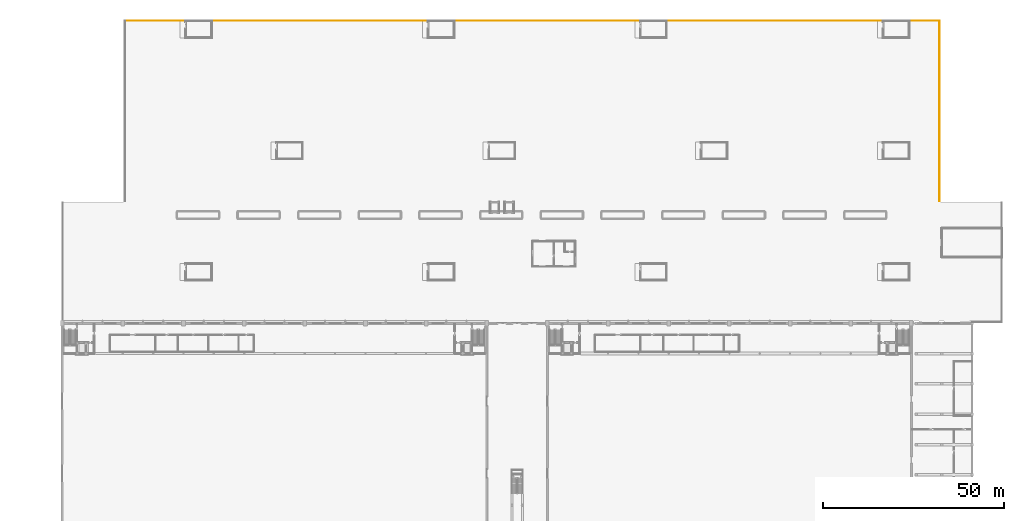
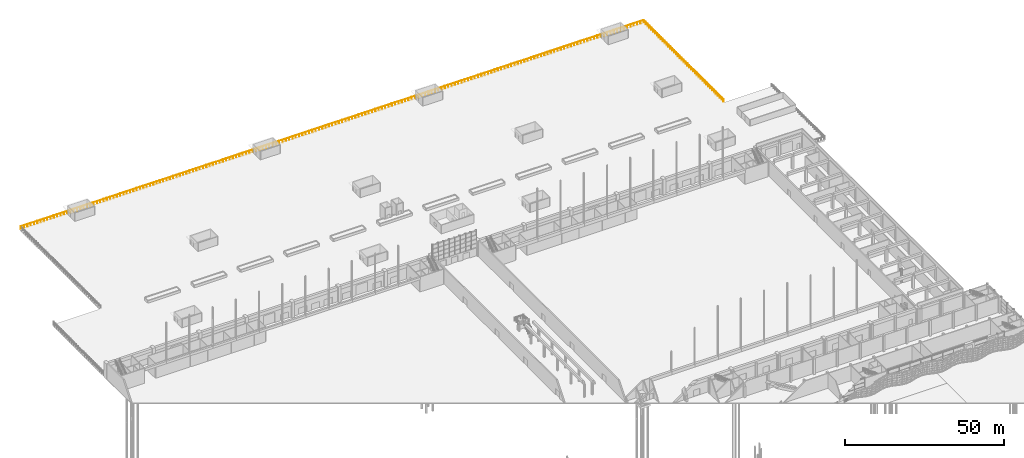
# One storey, part 209 of 210: 2 railings.
"""IFC4 building model written with IfcOpenShell, lengths in metres."""

from ifc_helpers import new_model, si_unit, direction, frame, origin, origin_2d, place, context, subcontext, project, spatial, circle, extrude, material, type_object, element, save


model = new_model("IFC4")

# Units and contexts
model_context = context("Model", 3, precision=1e-05, world=origin(), true_north=direction((0.0, 1.0)))
body_context = subcontext(model_context, "Body", "Model", "MODEL_VIEW")
ifc_project = project(units=[si_unit("LENGTHUNIT", "METRE"), si_unit("AREAUNIT", "SQUARE_METRE"), si_unit("VOLUMEUNIT", "CUBIC_METRE"), si_unit("PLANEANGLEUNIT", "RADIAN"), si_unit("MASSUNIT", "GRAM", prefix="KILO")], contexts=[model_context])

# Site, building, storey
site_placement = place(None, origin())
site = spatial("IfcSite", under=ifc_project, at=site_placement, CompositionType="ELEMENT")
building_placement = place(site_placement, origin())
building = spatial("IfcBuilding", under=site, at=building_placement, Name="Rain Tree Exposition and Congress Centre", CompositionType="ELEMENT")
storey_placement = place(building_placement, origin())
storey = spatial("IfcBuildingStorey", under=building, at=storey_placement, Name="L00", CompositionType="ELEMENT", Elevation=0.0)

# Railings
ifc_material = material(Name="Stainless steel", Category="steel")
railing_type = type_object("IfcRailingType", Name="Guard 1100 stainless", PredefinedType="GUARDRAIL", material=ifc_material)
railing_1_placement = place(storey_placement, frame((25.800048828125, 285.39990234375, 0.0)))
element("IfcRailing", 1, at=railing_1_placement, inside=storey, type_object=railing_type, Name="North deck edge guard yard-north", PredefinedType="GUARDRAIL", context=body_context, shape_type="SweptSolid", body=[
    extrude(circle(Radius=0.02490234375, at=origin_2d()), frame((0.0, 0.0, 1.0751953125), z_axis=(1.0, 0.0, 0.0), x_axis=(0.0, 1.0, 0.0)), (0.0, 0.0, 1.0), 225.599853515625),
    extrude(circle(Radius=0.02490234375, at=origin_2d()), origin(), (0.0, 0.0, 1.0), 1.050048828125),
    extrude(circle(Radius=0.02490234375, at=origin_2d()), frame((1.199951171875, 0.0, 0.0)), (0.0, 0.0, 1.0), 1.050048828125),
    extrude(circle(Radius=0.02490234375, at=origin_2d()), frame((2.39990234375, 0.0, 0.0)), (0.0, 0.0, 1.0), 1.050048828125),
    extrude(circle(Radius=0.02490234375, at=origin_2d()), frame((3.60009765625, 0.0, 0.0)), (0.0, 0.0, 1.0), 1.050048828125),
    extrude(circle(Radius=0.02490234375, at=origin_2d()), frame((4.800048828125, 0.0, 0.0)), (0.0, 0.0, 1.0), 1.050048828125),
    extrude(circle(Radius=0.02490234375, at=origin_2d()), frame((6.0, 0.0, 0.0)), (0.0, 0.0, 1.0), 1.050048828125),
    extrude(circle(Radius=0.02490234375, at=origin_2d()), frame((7.199951171875, 0.0, 0.0)), (0.0, 0.0, 1.0), 1.050048828125),
    extrude(circle(Radius=0.02490234375, at=origin_2d()), frame((8.39990234375, 0.0, 0.0)), (0.0, 0.0, 1.0), 1.050048828125),
    extrude(circle(Radius=0.02490234375, at=origin_2d()), frame((9.60009765625, 0.0, 0.0)), (0.0, 0.0, 1.0), 1.050048828125),
    extrude(circle(Radius=0.02490234375, at=origin_2d()), frame((10.800048828125, 0.0, 0.0)), (0.0, 0.0, 1.0), 1.050048828125),
    extrude(circle(Radius=0.02490234375, at=origin_2d()), frame((12.0, 0.0, 0.0)), (0.0, 0.0, 1.0), 1.050048828125),
    extrude(circle(Radius=0.02490234375, at=origin_2d()), frame((13.199951171875, 0.0, 0.0)), (0.0, 0.0, 1.0), 1.050048828125),
    extrude(circle(Radius=0.02490234375, at=origin_2d()), frame((14.39990234375, 0.0, 0.0)), (0.0, 0.0, 1.0), 1.050048828125),
    extrude(circle(Radius=0.02490234375, at=origin_2d()), frame((15.60009765625, 0.0, 0.0)), (0.0, 0.0, 1.0), 1.050048828125),
    extrude(circle(Radius=0.02490234375, at=origin_2d()), frame((16.800048828125, 0.0, 0.0)), (0.0, 0.0, 1.0), 1.050048828125),
    extrude(circle(Radius=0.02490234375, at=origin_2d()), frame((18.0, 0.0, 0.0)), (0.0, 0.0, 1.0), 1.050048828125),
    extrude(circle(Radius=0.02490234375, at=origin_2d()), frame((19.199951171875, 0.0, 0.0)), (0.0, 0.0, 1.0), 1.050048828125),
    extrude(circle(Radius=0.02490234375, at=origin_2d()), frame((20.39990234375, 0.0, 0.0)), (0.0, 0.0, 1.0), 1.050048828125),
    extrude(circle(Radius=0.02490234375, at=origin_2d()), frame((21.60009765625, 0.0, 0.0)), (0.0, 0.0, 1.0), 1.050048828125),
    extrude(circle(Radius=0.02490234375, at=origin_2d()), frame((22.800048828125, 0.0, 0.0)), (0.0, 0.0, 1.0), 1.050048828125),
    extrude(circle(Radius=0.02490234375, at=origin_2d()), frame((24.0, 0.0, 0.0)), (0.0, 0.0, 1.0), 1.050048828125),
    extrude(circle(Radius=0.02490234375, at=origin_2d()), frame((25.199951171875, 0.0, 0.0)), (0.0, 0.0, 1.0), 1.050048828125),
    extrude(circle(Radius=0.02490234375, at=origin_2d()), frame((26.39990234375, 0.0, 0.0)), (0.0, 0.0, 1.0), 1.050048828125),
    extrude(circle(Radius=0.02490234375, at=origin_2d()), frame((27.60009765625, 0.0, 0.0)), (0.0, 0.0, 1.0), 1.050048828125),
    extrude(circle(Radius=0.02490234375, at=origin_2d()), frame((28.800048828125, 0.0, 0.0)), (0.0, 0.0, 1.0), 1.050048828125),
    extrude(circle(Radius=0.02490234375, at=origin_2d()), frame((30.0, 0.0, 0.0)), (0.0, 0.0, 1.0), 1.050048828125),
    extrude(circle(Radius=0.02490234375, at=origin_2d()), frame((31.199951171875, 0.0, 0.0)), (0.0, 0.0, 1.0), 1.050048828125),
    extrude(circle(Radius=0.02490234375, at=origin_2d()), frame((32.39990234375, 0.0, 0.0)), (0.0, 0.0, 1.0), 1.050048828125),
    extrude(circle(Radius=0.02490234375, at=origin_2d()), frame((33.60009765625, 0.0, 0.0)), (0.0, 0.0, 1.0), 1.050048828125),
    extrude(circle(Radius=0.02490234375, at=origin_2d()), frame((34.800048828125, 0.0, 0.0)), (0.0, 0.0, 1.0), 1.050048828125),
    extrude(circle(Radius=0.02490234375, at=origin_2d()), frame((36.0, 0.0, 0.0)), (0.0, 0.0, 1.0), 1.050048828125),
    extrude(circle(Radius=0.02490234375, at=origin_2d()), frame((37.199951171875, 0.0, 0.0)), (0.0, 0.0, 1.0), 1.050048828125),
    extrude(circle(Radius=0.02490234375, at=origin_2d()), frame((38.39990234375, 0.0, 0.0)), (0.0, 0.0, 1.0), 1.050048828125),
    extrude(circle(Radius=0.02490234375, at=origin_2d()), frame((39.599853515625, 0.0, 0.0)), (0.0, 0.0, 1.0), 1.050048828125),
    extrude(circle(Radius=0.02490234375, at=origin_2d()), frame((40.800048828125, 0.0, 0.0)), (0.0, 0.0, 1.0), 1.050048828125),
    extrude(circle(Radius=0.02490234375, at=origin_2d()), frame((42.0, 0.0, 0.0)), (0.0, 0.0, 1.0), 1.050048828125),
    extrude(circle(Radius=0.02490234375, at=origin_2d()), frame((43.199951171875, 0.0, 0.0)), (0.0, 0.0, 1.0), 1.050048828125),
    extrude(circle(Radius=0.02490234375, at=origin_2d()), frame((44.39990234375, 0.0, 0.0)), (0.0, 0.0, 1.0), 1.050048828125),
    extrude(circle(Radius=0.02490234375, at=origin_2d()), frame((45.599853515625, 0.0, 0.0)), (0.0, 0.0, 1.0), 1.050048828125),
    extrude(circle(Radius=0.02490234375, at=origin_2d()), frame((46.800048828125, 0.0, 0.0)), (0.0, 0.0, 1.0), 1.050048828125),
    extrude(circle(Radius=0.02490234375, at=origin_2d()), frame((48.0, 0.0, 0.0)), (0.0, 0.0, 1.0), 1.050048828125),
    extrude(circle(Radius=0.02490234375, at=origin_2d()), frame((49.199951171875, 0.0, 0.0)), (0.0, 0.0, 1.0), 1.050048828125),
    extrude(circle(Radius=0.02490234375, at=origin_2d()), frame((50.39990234375, 0.0, 0.0)), (0.0, 0.0, 1.0), 1.050048828125),
    extrude(circle(Radius=0.02490234375, at=origin_2d()), frame((51.599853515625, 0.0, 0.0)), (0.0, 0.0, 1.0), 1.050048828125),
    extrude(circle(Radius=0.02490234375, at=origin_2d()), frame((52.800048828125, 0.0, 0.0)), (0.0, 0.0, 1.0), 1.050048828125),
    extrude(circle(Radius=0.02490234375, at=origin_2d()), frame((54.0, 0.0, 0.0)), (0.0, 0.0, 1.0), 1.050048828125),
    extrude(circle(Radius=0.02490234375, at=origin_2d()), frame((55.199951171875, 0.0, 0.0)), (0.0, 0.0, 1.0), 1.050048828125),
    extrude(circle(Radius=0.02490234375, at=origin_2d()), frame((56.39990234375, 0.0, 0.0)), (0.0, 0.0, 1.0), 1.050048828125),
    extrude(circle(Radius=0.02490234375, at=origin_2d()), frame((57.599853515625, 0.0, 0.0)), (0.0, 0.0, 1.0), 1.050048828125),
    extrude(circle(Radius=0.02490234375, at=origin_2d()), frame((58.800048828125, 0.0, 0.0)), (0.0, 0.0, 1.0), 1.050048828125),
    extrude(circle(Radius=0.02490234375, at=origin_2d()), frame((60.0, 0.0, 0.0)), (0.0, 0.0, 1.0), 1.050048828125),
    extrude(circle(Radius=0.02490234375, at=origin_2d()), frame((61.199951171875, 0.0, 0.0)), (0.0, 0.0, 1.0), 1.050048828125),
    extrude(circle(Radius=0.02490234375, at=origin_2d()), frame((62.39990234375, 0.0, 0.0)), (0.0, 0.0, 1.0), 1.050048828125),
    extrude(circle(Radius=0.02490234375, at=origin_2d()), frame((63.599853515625, 0.0, 0.0)), (0.0, 0.0, 1.0), 1.050048828125),
    extrude(circle(Radius=0.02490234375, at=origin_2d()), frame((64.800048828125, 0.0, 0.0)), (0.0, 0.0, 1.0), 1.050048828125),
    extrude(circle(Radius=0.02490234375, at=origin_2d()), frame((66.0, 0.0, 0.0)), (0.0, 0.0, 1.0), 1.050048828125),
    extrude(circle(Radius=0.02490234375, at=origin_2d()), frame((67.199951171875, 0.0, 0.0)), (0.0, 0.0, 1.0), 1.050048828125),
    extrude(circle(Radius=0.02490234375, at=origin_2d()), frame((68.39990234375, 0.0, 0.0)), (0.0, 0.0, 1.0), 1.050048828125),
    extrude(circle(Radius=0.02490234375, at=origin_2d()), frame((69.599853515625, 0.0, 0.0)), (0.0, 0.0, 1.0), 1.050048828125),
    extrude(circle(Radius=0.02490234375, at=origin_2d()), frame((70.800048828125, 0.0, 0.0)), (0.0, 0.0, 1.0), 1.050048828125),
    extrude(circle(Radius=0.02490234375, at=origin_2d()), frame((72.0, 0.0, 0.0)), (0.0, 0.0, 1.0), 1.050048828125),
    extrude(circle(Radius=0.02490234375, at=origin_2d()), frame((73.199951171875, 0.0, 0.0)), (0.0, 0.0, 1.0), 1.050048828125),
    extrude(circle(Radius=0.02490234375, at=origin_2d()), frame((74.39990234375, 0.0, 0.0)), (0.0, 0.0, 1.0), 1.050048828125),
    extrude(circle(Radius=0.02490234375, at=origin_2d()), frame((75.599853515625, 0.0, 0.0)), (0.0, 0.0, 1.0), 1.050048828125),
    extrude(circle(Radius=0.02490234375, at=origin_2d()), frame((76.800048828125, 0.0, 0.0)), (0.0, 0.0, 1.0), 1.050048828125),
    extrude(circle(Radius=0.02490234375, at=origin_2d()), frame((78.0, 0.0, 0.0)), (0.0, 0.0, 1.0), 1.050048828125),
    extrude(circle(Radius=0.02490234375, at=origin_2d()), frame((79.199951171875, 0.0, 0.0)), (0.0, 0.0, 1.0), 1.050048828125),
    extrude(circle(Radius=0.02490234375, at=origin_2d()), frame((80.39990234375, 0.0, 0.0)), (0.0, 0.0, 1.0), 1.050048828125),
    extrude(circle(Radius=0.02490234375, at=origin_2d()), frame((81.599853515625, 0.0, 0.0)), (0.0, 0.0, 1.0), 1.050048828125),
    extrude(circle(Radius=0.02490234375, at=origin_2d()), frame((82.800048828125, 0.0, 0.0)), (0.0, 0.0, 1.0), 1.050048828125),
    extrude(circle(Radius=0.02490234375, at=origin_2d()), frame((84.0, 0.0, 0.0)), (0.0, 0.0, 1.0), 1.050048828125),
    extrude(circle(Radius=0.02490234375, at=origin_2d()), frame((85.199951171875, 0.0, 0.0)), (0.0, 0.0, 1.0), 1.050048828125),
    extrude(circle(Radius=0.02490234375, at=origin_2d()), frame((86.39990234375, 0.0, 0.0)), (0.0, 0.0, 1.0), 1.050048828125),
    extrude(circle(Radius=0.02490234375, at=origin_2d()), frame((87.599853515625, 0.0, 0.0)), (0.0, 0.0, 1.0), 1.050048828125),
    extrude(circle(Radius=0.02490234375, at=origin_2d()), frame((88.800048828125, 0.0, 0.0)), (0.0, 0.0, 1.0), 1.050048828125),
    extrude(circle(Radius=0.02490234375, at=origin_2d()), frame((90.0, 0.0, 0.0)), (0.0, 0.0, 1.0), 1.050048828125),
    extrude(circle(Radius=0.02490234375, at=origin_2d()), frame((91.199951171875, 0.0, 0.0)), (0.0, 0.0, 1.0), 1.050048828125),
    extrude(circle(Radius=0.02490234375, at=origin_2d()), frame((92.39990234375, 0.0, 0.0)), (0.0, 0.0, 1.0), 1.050048828125),
    extrude(circle(Radius=0.02490234375, at=origin_2d()), frame((93.599853515625, 0.0, 0.0)), (0.0, 0.0, 1.0), 1.050048828125),
    extrude(circle(Radius=0.02490234375, at=origin_2d()), frame((94.800048828125, 0.0, 0.0)), (0.0, 0.0, 1.0), 1.050048828125),
    extrude(circle(Radius=0.02490234375, at=origin_2d()), frame((96.0, 0.0, 0.0)), (0.0, 0.0, 1.0), 1.050048828125),
    extrude(circle(Radius=0.02490234375, at=origin_2d()), frame((97.199951171875, 0.0, 0.0)), (0.0, 0.0, 1.0), 1.050048828125),
    extrude(circle(Radius=0.02490234375, at=origin_2d()), frame((98.39990234375, 0.0, 0.0)), (0.0, 0.0, 1.0), 1.050048828125),
    extrude(circle(Radius=0.02490234375, at=origin_2d()), frame((99.599853515625, 0.0, 0.0)), (0.0, 0.0, 1.0), 1.050048828125),
    extrude(circle(Radius=0.02490234375, at=origin_2d()), frame((100.800048828125, 0.0, 0.0)), (0.0, 0.0, 1.0), 1.050048828125),
    extrude(circle(Radius=0.02490234375, at=origin_2d()), frame((102.0, 0.0, 0.0)), (0.0, 0.0, 1.0), 1.050048828125),
    extrude(circle(Radius=0.02490234375, at=origin_2d()), frame((103.199951171875, 0.0, 0.0)), (0.0, 0.0, 1.0), 1.050048828125),
    extrude(circle(Radius=0.02490234375, at=origin_2d()), frame((104.39990234375, 0.0, 0.0)), (0.0, 0.0, 1.0), 1.050048828125),
    extrude(circle(Radius=0.02490234375, at=origin_2d()), frame((105.599853515625, 0.0, 0.0)), (0.0, 0.0, 1.0), 1.050048828125),
    extrude(circle(Radius=0.02490234375, at=origin_2d()), frame((106.800048828125, 0.0, 0.0)), (0.0, 0.0, 1.0), 1.050048828125),
    extrude(circle(Radius=0.02490234375, at=origin_2d()), frame((108.0, 0.0, 0.0)), (0.0, 0.0, 1.0), 1.050048828125),
    extrude(circle(Radius=0.02490234375, at=origin_2d()), frame((109.199951171875, 0.0, 0.0)), (0.0, 0.0, 1.0), 1.050048828125),
    extrude(circle(Radius=0.02490234375, at=origin_2d()), frame((110.39990234375, 0.0, 0.0)), (0.0, 0.0, 1.0), 1.050048828125),
    extrude(circle(Radius=0.02490234375, at=origin_2d()), frame((111.599853515625, 0.0, 0.0)), (0.0, 0.0, 1.0), 1.050048828125),
    extrude(circle(Radius=0.02490234375, at=origin_2d()), frame((112.7998046875, 0.0, 0.0)), (0.0, 0.0, 1.0), 1.050048828125),
    extrude(circle(Radius=0.02490234375, at=origin_2d()), frame((114.0, 0.0, 0.0)), (0.0, 0.0, 1.0), 1.050048828125),
    extrude(circle(Radius=0.02490234375, at=origin_2d()), frame((115.199951171875, 0.0, 0.0)), (0.0, 0.0, 1.0), 1.050048828125),
    extrude(circle(Radius=0.02490234375, at=origin_2d()), frame((116.39990234375, 0.0, 0.0)), (0.0, 0.0, 1.0), 1.050048828125),
    extrude(circle(Radius=0.02490234375, at=origin_2d()), frame((117.599853515625, 0.0, 0.0)), (0.0, 0.0, 1.0), 1.050048828125),
    extrude(circle(Radius=0.02490234375, at=origin_2d()), frame((118.7998046875, 0.0, 0.0)), (0.0, 0.0, 1.0), 1.050048828125),
    extrude(circle(Radius=0.02490234375, at=origin_2d()), frame((120.0, 0.0, 0.0)), (0.0, 0.0, 1.0), 1.050048828125),
    extrude(circle(Radius=0.02490234375, at=origin_2d()), frame((121.199951171875, 0.0, 0.0)), (0.0, 0.0, 1.0), 1.050048828125),
    extrude(circle(Radius=0.02490234375, at=origin_2d()), frame((122.39990234375, 0.0, 0.0)), (0.0, 0.0, 1.0), 1.050048828125),
    extrude(circle(Radius=0.02490234375, at=origin_2d()), frame((123.599853515625, 0.0, 0.0)), (0.0, 0.0, 1.0), 1.050048828125),
    extrude(circle(Radius=0.02490234375, at=origin_2d()), frame((124.7998046875, 0.0, 0.0)), (0.0, 0.0, 1.0), 1.050048828125),
    extrude(circle(Radius=0.02490234375, at=origin_2d()), frame((126.0, 0.0, 0.0)), (0.0, 0.0, 1.0), 1.050048828125),
    extrude(circle(Radius=0.02490234375, at=origin_2d()), frame((127.199951171875, 0.0, 0.0)), (0.0, 0.0, 1.0), 1.050048828125),
    extrude(circle(Radius=0.02490234375, at=origin_2d()), frame((128.39990234375, 0.0, 0.0)), (0.0, 0.0, 1.0), 1.050048828125),
    extrude(circle(Radius=0.02490234375, at=origin_2d()), frame((129.599853515625, 0.0, 0.0)), (0.0, 0.0, 1.0), 1.050048828125),
    extrude(circle(Radius=0.02490234375, at=origin_2d()), frame((130.7998046875, 0.0, 0.0)), (0.0, 0.0, 1.0), 1.050048828125),
    extrude(circle(Radius=0.02490234375, at=origin_2d()), frame((132.0, 0.0, 0.0)), (0.0, 0.0, 1.0), 1.050048828125),
    extrude(circle(Radius=0.02490234375, at=origin_2d()), frame((133.199951171875, 0.0, 0.0)), (0.0, 0.0, 1.0), 1.050048828125),
    extrude(circle(Radius=0.02490234375, at=origin_2d()), frame((134.39990234375, 0.0, 0.0)), (0.0, 0.0, 1.0), 1.050048828125),
    extrude(circle(Radius=0.02490234375, at=origin_2d()), frame((135.599853515625, 0.0, 0.0)), (0.0, 0.0, 1.0), 1.050048828125),
    extrude(circle(Radius=0.02490234375, at=origin_2d()), frame((136.7998046875, 0.0, 0.0)), (0.0, 0.0, 1.0), 1.050048828125),
    extrude(circle(Radius=0.02490234375, at=origin_2d()), frame((138.0, 0.0, 0.0)), (0.0, 0.0, 1.0), 1.050048828125),
    extrude(circle(Radius=0.02490234375, at=origin_2d()), frame((139.199951171875, 0.0, 0.0)), (0.0, 0.0, 1.0), 1.050048828125),
    extrude(circle(Radius=0.02490234375, at=origin_2d()), frame((140.39990234375, 0.0, 0.0)), (0.0, 0.0, 1.0), 1.050048828125),
    extrude(circle(Radius=0.02490234375, at=origin_2d()), frame((141.599853515625, 0.0, 0.0)), (0.0, 0.0, 1.0), 1.050048828125),
    extrude(circle(Radius=0.02490234375, at=origin_2d()), frame((142.7998046875, 0.0, 0.0)), (0.0, 0.0, 1.0), 1.050048828125),
    extrude(circle(Radius=0.02490234375, at=origin_2d()), frame((144.0, 0.0, 0.0)), (0.0, 0.0, 1.0), 1.050048828125),
    extrude(circle(Radius=0.02490234375, at=origin_2d()), frame((145.199951171875, 0.0, 0.0)), (0.0, 0.0, 1.0), 1.050048828125),
    extrude(circle(Radius=0.02490234375, at=origin_2d()), frame((146.39990234375, 0.0, 0.0)), (0.0, 0.0, 1.0), 1.050048828125),
    extrude(circle(Radius=0.02490234375, at=origin_2d()), frame((147.599853515625, 0.0, 0.0)), (0.0, 0.0, 1.0), 1.050048828125),
    extrude(circle(Radius=0.02490234375, at=origin_2d()), frame((148.7998046875, 0.0, 0.0)), (0.0, 0.0, 1.0), 1.050048828125),
    extrude(circle(Radius=0.02490234375, at=origin_2d()), frame((150.0, 0.0, 0.0)), (0.0, 0.0, 1.0), 1.050048828125),
    extrude(circle(Radius=0.02490234375, at=origin_2d()), frame((151.199951171875, 0.0, 0.0)), (0.0, 0.0, 1.0), 1.050048828125),
    extrude(circle(Radius=0.02490234375, at=origin_2d()), frame((152.39990234375, 0.0, 0.0)), (0.0, 0.0, 1.0), 1.050048828125),
    extrude(circle(Radius=0.02490234375, at=origin_2d()), frame((153.599853515625, 0.0, 0.0)), (0.0, 0.0, 1.0), 1.050048828125),
    extrude(circle(Radius=0.02490234375, at=origin_2d()), frame((154.7998046875, 0.0, 0.0)), (0.0, 0.0, 1.0), 1.050048828125),
    extrude(circle(Radius=0.02490234375, at=origin_2d()), frame((156.0, 0.0, 0.0)), (0.0, 0.0, 1.0), 1.050048828125),
    extrude(circle(Radius=0.02490234375, at=origin_2d()), frame((157.199951171875, 0.0, 0.0)), (0.0, 0.0, 1.0), 1.050048828125),
    extrude(circle(Radius=0.02490234375, at=origin_2d()), frame((158.39990234375, 0.0, 0.0)), (0.0, 0.0, 1.0), 1.050048828125),
    extrude(circle(Radius=0.02490234375, at=origin_2d()), frame((159.599853515625, 0.0, 0.0)), (0.0, 0.0, 1.0), 1.050048828125),
    extrude(circle(Radius=0.02490234375, at=origin_2d()), frame((160.7998046875, 0.0, 0.0)), (0.0, 0.0, 1.0), 1.050048828125),
    extrude(circle(Radius=0.02490234375, at=origin_2d()), frame((162.0, 0.0, 0.0)), (0.0, 0.0, 1.0), 1.050048828125),
    extrude(circle(Radius=0.02490234375, at=origin_2d()), frame((163.199951171875, 0.0, 0.0)), (0.0, 0.0, 1.0), 1.050048828125),
    extrude(circle(Radius=0.02490234375, at=origin_2d()), frame((164.39990234375, 0.0, 0.0)), (0.0, 0.0, 1.0), 1.050048828125),
    extrude(circle(Radius=0.02490234375, at=origin_2d()), frame((165.599853515625, 0.0, 0.0)), (0.0, 0.0, 1.0), 1.050048828125),
    extrude(circle(Radius=0.02490234375, at=origin_2d()), frame((166.7998046875, 0.0, 0.0)), (0.0, 0.0, 1.0), 1.050048828125),
    extrude(circle(Radius=0.02490234375, at=origin_2d()), frame((168.0, 0.0, 0.0)), (0.0, 0.0, 1.0), 1.050048828125),
    extrude(circle(Radius=0.02490234375, at=origin_2d()), frame((169.199951171875, 0.0, 0.0)), (0.0, 0.0, 1.0), 1.050048828125),
    extrude(circle(Radius=0.02490234375, at=origin_2d()), frame((170.39990234375, 0.0, 0.0)), (0.0, 0.0, 1.0), 1.050048828125),
    extrude(circle(Radius=0.02490234375, at=origin_2d()), frame((171.599853515625, 0.0, 0.0)), (0.0, 0.0, 1.0), 1.050048828125),
    extrude(circle(Radius=0.02490234375, at=origin_2d()), frame((172.7998046875, 0.0, 0.0)), (0.0, 0.0, 1.0), 1.050048828125),
    extrude(circle(Radius=0.02490234375, at=origin_2d()), frame((174.0, 0.0, 0.0)), (0.0, 0.0, 1.0), 1.050048828125),
    extrude(circle(Radius=0.02490234375, at=origin_2d()), frame((175.199951171875, 0.0, 0.0)), (0.0, 0.0, 1.0), 1.050048828125),
    extrude(circle(Radius=0.02490234375, at=origin_2d()), frame((176.39990234375, 0.0, 0.0)), (0.0, 0.0, 1.0), 1.050048828125),
    extrude(circle(Radius=0.02490234375, at=origin_2d()), frame((177.599853515625, 0.0, 0.0)), (0.0, 0.0, 1.0), 1.050048828125),
    extrude(circle(Radius=0.02490234375, at=origin_2d()), frame((178.7998046875, 0.0, 0.0)), (0.0, 0.0, 1.0), 1.050048828125),
    extrude(circle(Radius=0.02490234375, at=origin_2d()), frame((180.0, 0.0, 0.0)), (0.0, 0.0, 1.0), 1.050048828125),
    extrude(circle(Radius=0.02490234375, at=origin_2d()), frame((181.199951171875, 0.0, 0.0)), (0.0, 0.0, 1.0), 1.050048828125),
    extrude(circle(Radius=0.02490234375, at=origin_2d()), frame((182.39990234375, 0.0, 0.0)), (0.0, 0.0, 1.0), 1.050048828125),
    extrude(circle(Radius=0.02490234375, at=origin_2d()), frame((183.599853515625, 0.0, 0.0)), (0.0, 0.0, 1.0), 1.050048828125),
    extrude(circle(Radius=0.02490234375, at=origin_2d()), frame((184.7998046875, 0.0, 0.0)), (0.0, 0.0, 1.0), 1.050048828125),
    extrude(circle(Radius=0.02490234375, at=origin_2d()), frame((186.0, 0.0, 0.0)), (0.0, 0.0, 1.0), 1.050048828125),
    extrude(circle(Radius=0.02490234375, at=origin_2d()), frame((187.199951171875, 0.0, 0.0)), (0.0, 0.0, 1.0), 1.050048828125),
    extrude(circle(Radius=0.02490234375, at=origin_2d()), frame((188.39990234375, 0.0, 0.0)), (0.0, 0.0, 1.0), 1.050048828125),
    extrude(circle(Radius=0.02490234375, at=origin_2d()), frame((189.599853515625, 0.0, 0.0)), (0.0, 0.0, 1.0), 1.050048828125),
    extrude(circle(Radius=0.02490234375, at=origin_2d()), frame((190.7998046875, 0.0, 0.0)), (0.0, 0.0, 1.0), 1.050048828125),
    extrude(circle(Radius=0.02490234375, at=origin_2d()), frame((191.999755859375, 0.0, 0.0)), (0.0, 0.0, 1.0), 1.050048828125),
    extrude(circle(Radius=0.02490234375, at=origin_2d()), frame((193.199951171875, 0.0, 0.0)), (0.0, 0.0, 1.0), 1.050048828125),
    extrude(circle(Radius=0.02490234375, at=origin_2d()), frame((194.39990234375, 0.0, 0.0)), (0.0, 0.0, 1.0), 1.050048828125),
    extrude(circle(Radius=0.02490234375, at=origin_2d()), frame((195.599853515625, 0.0, 0.0)), (0.0, 0.0, 1.0), 1.050048828125),
    extrude(circle(Radius=0.02490234375, at=origin_2d()), frame((196.7998046875, 0.0, 0.0)), (0.0, 0.0, 1.0), 1.050048828125),
    extrude(circle(Radius=0.02490234375, at=origin_2d()), frame((197.999755859375, 0.0, 0.0)), (0.0, 0.0, 1.0), 1.050048828125),
    extrude(circle(Radius=0.02490234375, at=origin_2d()), frame((199.199951171875, 0.0, 0.0)), (0.0, 0.0, 1.0), 1.050048828125),
    extrude(circle(Radius=0.02490234375, at=origin_2d()), frame((200.39990234375, 0.0, 0.0)), (0.0, 0.0, 1.0), 1.050048828125),
    extrude(circle(Radius=0.02490234375, at=origin_2d()), frame((201.599853515625, 0.0, 0.0)), (0.0, 0.0, 1.0), 1.050048828125),
    extrude(circle(Radius=0.02490234375, at=origin_2d()), frame((202.7998046875, 0.0, 0.0)), (0.0, 0.0, 1.0), 1.050048828125),
    extrude(circle(Radius=0.02490234375, at=origin_2d()), frame((203.999755859375, 0.0, 0.0)), (0.0, 0.0, 1.0), 1.050048828125),
    extrude(circle(Radius=0.02490234375, at=origin_2d()), frame((205.199951171875, 0.0, 0.0)), (0.0, 0.0, 1.0), 1.050048828125),
    extrude(circle(Radius=0.02490234375, at=origin_2d()), frame((206.39990234375, 0.0, 0.0)), (0.0, 0.0, 1.0), 1.050048828125),
    extrude(circle(Radius=0.02490234375, at=origin_2d()), frame((207.599853515625, 0.0, 0.0)), (0.0, 0.0, 1.0), 1.050048828125),
    extrude(circle(Radius=0.02490234375, at=origin_2d()), frame((208.7998046875, 0.0, 0.0)), (0.0, 0.0, 1.0), 1.050048828125),
    extrude(circle(Radius=0.02490234375, at=origin_2d()), frame((209.999755859375, 0.0, 0.0)), (0.0, 0.0, 1.0), 1.050048828125),
    extrude(circle(Radius=0.02490234375, at=origin_2d()), frame((211.199951171875, 0.0, 0.0)), (0.0, 0.0, 1.0), 1.050048828125),
    extrude(circle(Radius=0.02490234375, at=origin_2d()), frame((212.39990234375, 0.0, 0.0)), (0.0, 0.0, 1.0), 1.050048828125),
    extrude(circle(Radius=0.02490234375, at=origin_2d()), frame((213.599853515625, 0.0, 0.0)), (0.0, 0.0, 1.0), 1.050048828125),
    extrude(circle(Radius=0.02490234375, at=origin_2d()), frame((214.7998046875, 0.0, 0.0)), (0.0, 0.0, 1.0), 1.050048828125),
    extrude(circle(Radius=0.02490234375, at=origin_2d()), frame((215.999755859375, 0.0, 0.0)), (0.0, 0.0, 1.0), 1.050048828125),
    extrude(circle(Radius=0.02490234375, at=origin_2d()), frame((217.199951171875, 0.0, 0.0)), (0.0, 0.0, 1.0), 1.050048828125),
    extrude(circle(Radius=0.02490234375, at=origin_2d()), frame((218.39990234375, 0.0, 0.0)), (0.0, 0.0, 1.0), 1.050048828125),
    extrude(circle(Radius=0.02490234375, at=origin_2d()), frame((219.599853515625, 0.0, 0.0)), (0.0, 0.0, 1.0), 1.050048828125),
    extrude(circle(Radius=0.02490234375, at=origin_2d()), frame((220.7998046875, 0.0, 0.0)), (0.0, 0.0, 1.0), 1.050048828125),
    extrude(circle(Radius=0.02490234375, at=origin_2d()), frame((221.999755859375, 0.0, 0.0)), (0.0, 0.0, 1.0), 1.050048828125),
    extrude(circle(Radius=0.02490234375, at=origin_2d()), frame((223.199951171875, 0.0, 0.0)), (0.0, 0.0, 1.0), 1.050048828125),
    extrude(circle(Radius=0.02490234375, at=origin_2d()), frame((224.39990234375, 0.0, 0.0)), (0.0, 0.0, 1.0), 1.050048828125),
    extrude(circle(Radius=0.02490234375, at=origin_2d()), frame((225.599853515625, 0.0, 0.0)), (0.0, 0.0, 1.0), 1.050048828125),
])
railing_2_placement = place(storey_placement, frame((251.39990234375, 285.39990234375, 0.0)))
element("IfcRailing", 2, at=railing_2_placement, inside=storey, type_object=railing_type, Name="North deck edge guard yard-east", PredefinedType="GUARDRAIL", context=body_context, shape_type="SweptSolid", body=[
    extrude(circle(Radius=0.02490234375, at=origin_2d()), frame((0.0, 0.0, 1.0751953125), z_axis=(0.0, -1.0, 0.0), x_axis=(1.0, 0.0, 0.0)), (0.0, 0.0, 1.0), 50.0),
    extrude(circle(Radius=0.02490234375, at=origin_2d()), origin(), (0.0, 0.0, 1.0), 1.050048828125),
    extrude(circle(Radius=0.02490234375, at=origin_2d()), frame((0.0, -1.1904296875, 0.0)), (0.0, 0.0, 1.0), 1.050048828125),
    extrude(circle(Radius=0.02490234375, at=origin_2d()), frame((0.0, -2.380859375, 0.0)), (0.0, 0.0, 1.0), 1.050048828125),
    extrude(circle(Radius=0.02490234375, at=origin_2d()), frame((0.0, -3.571533203125, 0.0)), (0.0, 0.0, 1.0), 1.050048828125),
    extrude(circle(Radius=0.02490234375, at=origin_2d()), frame((0.0, -4.761962890625, 0.0)), (0.0, 0.0, 1.0), 1.050048828125),
    extrude(circle(Radius=0.02490234375, at=origin_2d()), frame((0.0, -5.952392578125, 0.0)), (0.0, 0.0, 1.0), 1.050048828125),
    extrude(circle(Radius=0.02490234375, at=origin_2d()), frame((0.0, -7.142822265625, 0.0)), (0.0, 0.0, 1.0), 1.050048828125),
    extrude(circle(Radius=0.02490234375, at=origin_2d()), frame((0.0, -8.333251953125, 0.0)), (0.0, 0.0, 1.0), 1.050048828125),
    extrude(circle(Radius=0.02490234375, at=origin_2d()), frame((0.0, -9.52392578125, 0.0)), (0.0, 0.0, 1.0), 1.050048828125),
    extrude(circle(Radius=0.02490234375, at=origin_2d()), frame((0.0, -10.71435546875, 0.0)), (0.0, 0.0, 1.0), 1.050048828125),
    extrude(circle(Radius=0.02490234375, at=origin_2d()), frame((0.0, -11.90478515625, 0.0)), (0.0, 0.0, 1.0), 1.050048828125),
    extrude(circle(Radius=0.02490234375, at=origin_2d()), frame((0.0, -13.09521484375, 0.0)), (0.0, 0.0, 1.0), 1.050048828125),
    extrude(circle(Radius=0.02490234375, at=origin_2d()), frame((0.0, -14.28564453125, 0.0)), (0.0, 0.0, 1.0), 1.050048828125),
    extrude(circle(Radius=0.02490234375, at=origin_2d()), frame((0.0, -15.47607421875, 0.0)), (0.0, 0.0, 1.0), 1.050048828125),
    extrude(circle(Radius=0.02490234375, at=origin_2d()), frame((0.0, -16.666748046875, 0.0)), (0.0, 0.0, 1.0), 1.050048828125),
    extrude(circle(Radius=0.02490234375, at=origin_2d()), frame((0.0, -17.857177734375, 0.0)), (0.0, 0.0, 1.0), 1.050048828125),
    extrude(circle(Radius=0.02490234375, at=origin_2d()), frame((0.0, -19.047607421875, 0.0)), (0.0, 0.0, 1.0), 1.050048828125),
    extrude(circle(Radius=0.02490234375, at=origin_2d()), frame((0.0, -20.238037109375, 0.0)), (0.0, 0.0, 1.0), 1.050048828125),
    extrude(circle(Radius=0.02490234375, at=origin_2d()), frame((0.0, -21.428466796875, 0.0)), (0.0, 0.0, 1.0), 1.050048828125),
    extrude(circle(Radius=0.02490234375, at=origin_2d()), frame((0.0, -22.619140625, 0.0)), (0.0, 0.0, 1.0), 1.050048828125),
    extrude(circle(Radius=0.02490234375, at=origin_2d()), frame((0.0, -23.8095703125, 0.0)), (0.0, 0.0, 1.0), 1.050048828125),
    extrude(circle(Radius=0.02490234375, at=origin_2d()), frame((0.0, -25.0, 0.0)), (0.0, 0.0, 1.0), 1.050048828125),
    extrude(circle(Radius=0.02490234375, at=origin_2d()), frame((0.0, -26.1904296875, 0.0)), (0.0, 0.0, 1.0), 1.050048828125),
    extrude(circle(Radius=0.02490234375, at=origin_2d()), frame((0.0, -27.380859375, 0.0)), (0.0, 0.0, 1.0), 1.050048828125),
    extrude(circle(Radius=0.02490234375, at=origin_2d()), frame((0.0, -28.571533203125, 0.0)), (0.0, 0.0, 1.0), 1.050048828125),
    extrude(circle(Radius=0.02490234375, at=origin_2d()), frame((0.0, -29.761962890625, 0.0)), (0.0, 0.0, 1.0), 1.050048828125),
    extrude(circle(Radius=0.02490234375, at=origin_2d()), frame((0.0, -30.952392578125, 0.0)), (0.0, 0.0, 1.0), 1.050048828125),
    extrude(circle(Radius=0.02490234375, at=origin_2d()), frame((0.0, -32.142822265625, 0.0)), (0.0, 0.0, 1.0), 1.050048828125),
    extrude(circle(Radius=0.02490234375, at=origin_2d()), frame((0.0, -33.333251953125, 0.0)), (0.0, 0.0, 1.0), 1.050048828125),
    extrude(circle(Radius=0.02490234375, at=origin_2d()), frame((0.0, -34.52392578125, 0.0)), (0.0, 0.0, 1.0), 1.050048828125),
    extrude(circle(Radius=0.02490234375, at=origin_2d()), frame((0.0, -35.71435546875, 0.0)), (0.0, 0.0, 1.0), 1.050048828125),
    extrude(circle(Radius=0.02490234375, at=origin_2d()), frame((0.0, -36.90478515625, 0.0)), (0.0, 0.0, 1.0), 1.050048828125),
    extrude(circle(Radius=0.02490234375, at=origin_2d()), frame((0.0, -38.09521484375, 0.0)), (0.0, 0.0, 1.0), 1.050048828125),
    extrude(circle(Radius=0.02490234375, at=origin_2d()), frame((0.0, -39.28564453125, 0.0)), (0.0, 0.0, 1.0), 1.050048828125),
    extrude(circle(Radius=0.02490234375, at=origin_2d()), frame((0.0, -40.47607421875, 0.0)), (0.0, 0.0, 1.0), 1.050048828125),
    extrude(circle(Radius=0.02490234375, at=origin_2d()), frame((0.0, -41.666748046875, 0.0)), (0.0, 0.0, 1.0), 1.050048828125),
    extrude(circle(Radius=0.02490234375, at=origin_2d()), frame((0.0, -42.857177734375, 0.0)), (0.0, 0.0, 1.0), 1.050048828125),
    extrude(circle(Radius=0.02490234375, at=origin_2d()), frame((0.0, -44.047607421875, 0.0)), (0.0, 0.0, 1.0), 1.050048828125),
    extrude(circle(Radius=0.02490234375, at=origin_2d()), frame((0.0, -45.238037109375, 0.0)), (0.0, 0.0, 1.0), 1.050048828125),
    extrude(circle(Radius=0.02490234375, at=origin_2d()), frame((0.0, -46.428466796875, 0.0)), (0.0, 0.0, 1.0), 1.050048828125),
    extrude(circle(Radius=0.02490234375, at=origin_2d()), frame((0.0, -47.619140625, 0.0)), (0.0, 0.0, 1.0), 1.050048828125),
    extrude(circle(Radius=0.02490234375, at=origin_2d()), frame((0.0, -48.8095703125, 0.0)), (0.0, 0.0, 1.0), 1.050048828125),
    extrude(circle(Radius=0.02490234375, at=origin_2d()), frame((0.0, -50.0, 0.0)), (0.0, 0.0, 1.0), 1.050048828125),
])

save(model, "model.ifc")
